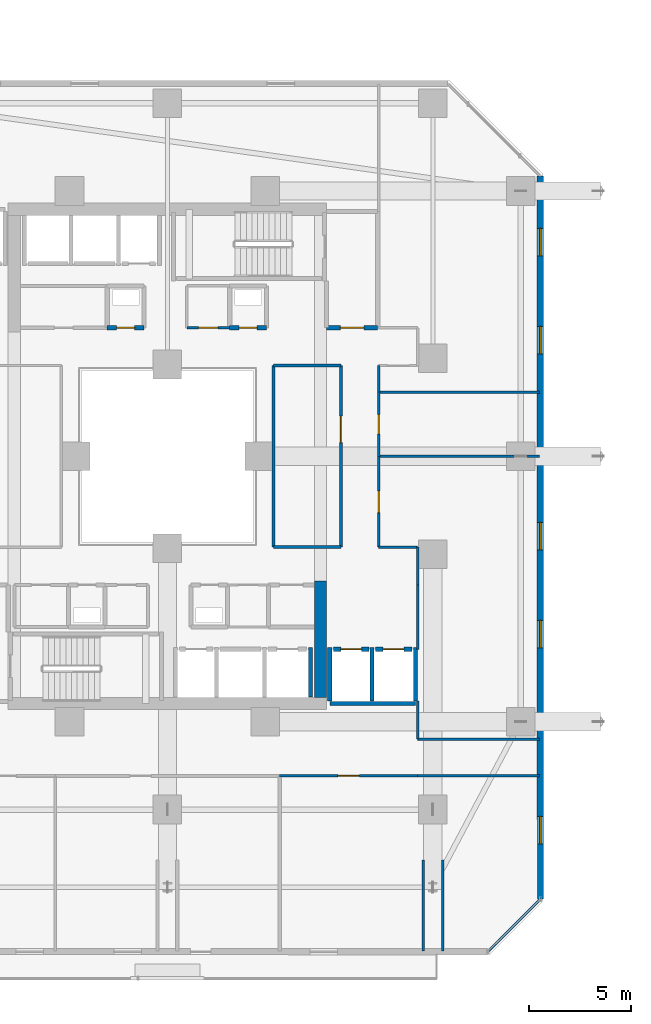
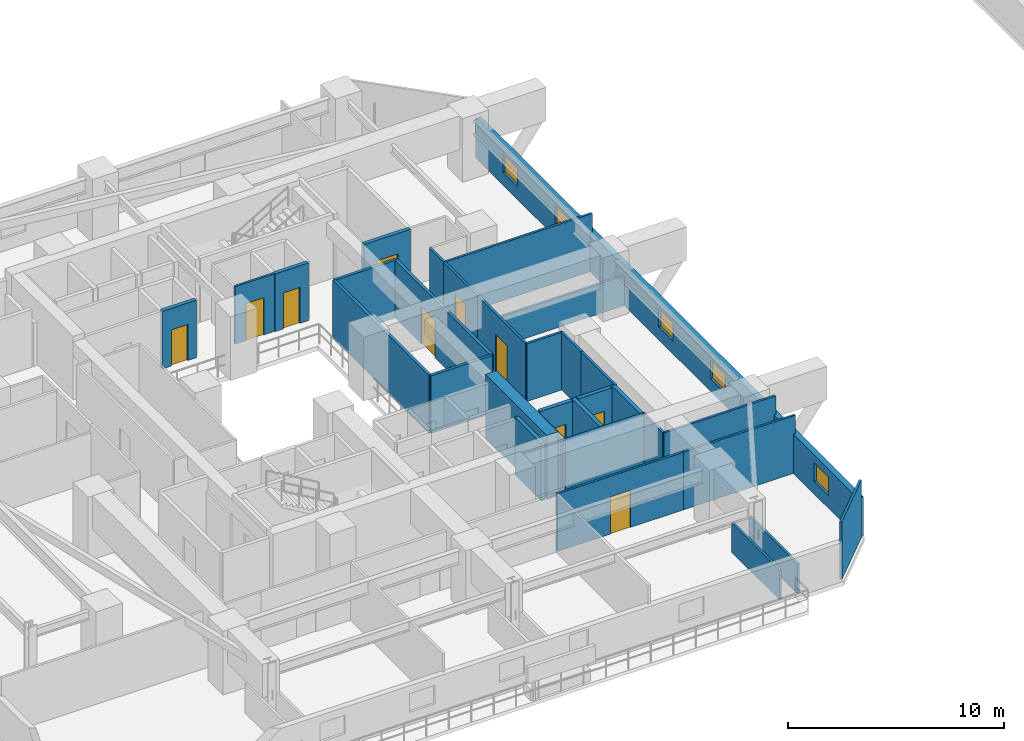
# One storey, part 23 of 36: 32 walls, 10 doors, 5 windows, 15 openings.
"""IFC4 building model written with IfcOpenShell, lengths in metres."""

from ifc_helpers import new_model, si_unit, direction, frame, frame_2d, origin, place, context, subcontext, project, spatial, rectangle, extrude, material, layer, layer_set, type_object, element, fill, save


model = new_model("IFC4")

# Units and contexts
model_context = context("Model", 3, precision=1e-05, world=origin(), true_north=direction((0.0, 1.0)))
body_context = subcontext(model_context, "Body", "Model", "MODEL_VIEW")
ifc_project = project(units=[si_unit("LENGTHUNIT", "METRE"), si_unit("AREAUNIT", "SQUARE_METRE"), si_unit("VOLUMEUNIT", "CUBIC_METRE"), si_unit("PLANEANGLEUNIT", "RADIAN"), si_unit("MASSUNIT", "GRAM", prefix="KILO")], contexts=[model_context])

# Site, building, storey
site_placement = place(None, origin())
site = spatial("IfcSite", under=ifc_project, at=site_placement, CompositionType="ELEMENT")
building_placement = place(site_placement, origin())
building = spatial("IfcBuilding", under=site, at=building_placement, Name="Thornwick Lancets Civic Towers", CompositionType="ELEMENT")
storey_placement = place(building_placement, frame((0.0, 0.0, 45.89990234375)))
storey = spatial("IfcBuildingStorey", under=building, at=storey_placement, Name="L11", CompositionType="ELEMENT", Elevation=45.89990234375)

# Wall, opening, door
ifc_material_1 = material(Name="Concrete blockwork C40/50", Category="masonry")
ifc_layer_1 = layer(ifc_material_1, 0.199951171875, Name="Concrete blockwork C40/50")
ifc_layer_set_1 = layer_set([ifc_layer_1], Name="Concrete blockwork C40/50")
wall_type_1 = type_object("IfcWallType", Name="WALL_COMP_200", PredefinedType="STANDARD", material=ifc_layer_set_1)
wall_1_placement = place(storey_placement, frame((33.6298828125, 17.550048828125, 0.0), z_axis=(0.0, 0.0, 1.0), x_axis=(1.0, 0.0, 0.0)))
wall_1 = element("IfcWall", 1, at=wall_1_placement, inside=storey, type_object=wall_type_1, Name="L11 Hoistway Front Wall PL-AL2", PredefinedType="STANDARD", context=body_context, shape_type="SweptSolid", body=[
    extrude(rectangle(XDim=1.740234375, YDim=0.199951171875, at=frame_2d((0.8701171875, 0.0))), origin(), (0.0, 0.0, 1.0), 3.260009765625),
])
opening_1_placement = place(wall_1_placement, frame((0.360107421875, 0.0, 0.0)))
opening_1 = element("IfcOpeningElement", 2, at=opening_1_placement, cuts=wall_1, Name="Opening LD-PL-AL2", PredefinedType="OPENING", context=body_context, shape_type="SweptSolid", body=[
    extrude(rectangle(XDim=1.02001953125, YDim=2.06005859375, at=frame_2d((0.510009765625, 1.030029296875))), frame((0.0, 0.10986328125, 0.0), z_axis=(0.0, -1.0, 0.0), x_axis=(1.0, 0.0, 0.0)), (0.0, 0.0, 1.0), 0.219970703125),
])
ifc_material_2 = material(Name="Brushed bronze stainless steel", Category="steel")
door_type_1 = type_object("IfcDoorType", Name="DOOR_LIFT_SLIDE", OperationType="SLIDING_TO_LEFT", PredefinedType="DOOR", material=ifc_material_2)
door_1_placement = place(opening_1_placement, origin())
door_1 = element("IfcDoor", 3, at=door_1_placement, inside=storey, type_object=door_type_1, Name="L11 Sliding Lift Landing Door LD-PL-AL2", OperationType="SLIDING_TO_LEFT", OverallHeight=2.06005859375, OverallWidth=1.02001953125, PredefinedType="DOOR", context=body_context, shape_type="SweptSolid", body=[
    extrude(rectangle(XDim=1.02001953125, YDim=2.06005859375, at=frame_2d((0.510009765625, 1.030029296875))), frame((0.0, 0.02490234375, 0.0), z_axis=(0.0, -1.0, 0.0), x_axis=(1.0, 0.0, 0.0)), (0.0, 0.0, 1.0), 0.050048828125),
])
fill(opening_1, door_1)

wall_2_placement = place(storey_placement, frame((35.679931640625, 17.550048828125, 0.0), z_axis=(0.0, 0.0, 1.0), x_axis=(1.0, 0.0, 0.0)))
wall_2 = element("IfcWall", 4, at=wall_2_placement, inside=storey, type_object=wall_type_1, Name="L11 Hoistway Front Wall PL-AL3", PredefinedType="STANDARD", context=body_context, shape_type="SweptSolid", body=[
    extrude(rectangle(XDim=1.7900390625, YDim=0.199951171875, at=frame_2d((0.89501953125, 0.0))), origin(), (0.0, 0.0, 1.0), 3.260009765625),
])
opening_2_placement = place(wall_2_placement, frame((0.385009765625, 0.0, 0.0)))
opening_2 = element("IfcOpeningElement", 5, at=opening_2_placement, cuts=wall_2, Name="Opening LD-PL-AL3", PredefinedType="OPENING", context=body_context, shape_type="SweptSolid", body=[
    extrude(rectangle(XDim=1.02001953125, YDim=2.06005859375, at=frame_2d((0.510009765625, 1.030029296875))), frame((0.0, 0.10986328125, 0.0), z_axis=(0.0, -1.0, 0.0), x_axis=(1.0, 0.0, 0.0)), (0.0, 0.0, 1.0), 0.219970703125),
])
door_2_placement = place(opening_2_placement, origin())
door_2 = element("IfcDoor", 6, at=door_2_placement, inside=storey, type_object=door_type_1, Name="L11 Sliding Lift Landing Door LD-PL-AL3", OperationType="SLIDING_TO_LEFT", OverallHeight=2.06005859375, OverallWidth=1.02001953125, PredefinedType="DOOR", context=body_context, shape_type="SweptSolid", body=[
    extrude(rectangle(XDim=1.02001953125, YDim=2.06005859375, at=frame_2d((0.510009765625, 1.030029296875))), frame((0.0, 0.02490234375, 0.0), z_axis=(0.0, -1.0, 0.0), x_axis=(1.0, 0.0, 0.0)), (0.0, 0.0, 1.0), 0.050048828125),
])
fill(opening_2, door_2)

# Walls
wall_3_placement = place(storey_placement, frame((32.5, 15.2119140625, 0.0), z_axis=(0.0, 0.0, 1.0), x_axis=(0.0, 1.0, 0.0)))
element("IfcWall", 7, at=wall_3_placement, inside=storey, type_object=wall_type_1, Name="L11 Hoistway Shaft Wall PL-AL1 E", PredefinedType="STANDARD", context=body_context, shape_type="SweptSolid", body=[
    extrude(rectangle(XDim=2.43603515625, YDim=0.199951171875, at=frame_2d((1.218017578125, 0.0))), origin(), (0.0, 0.0, 1.0), 3.260009765625),
])
wall_4_placement = place(storey_placement, frame((33.451904296875, 14.89990234375, 0.0), z_axis=(0.0, 0.0, 1.0), x_axis=(1.0, 0.0, 0.0)))
element("IfcWall", 8, at=wall_4_placement, inside=storey, type_object=wall_type_1, Name="L11 Hoistway Shaft Wall PL-AL2 S", PredefinedType="STANDARD", context=body_context, shape_type="SweptSolid", body=[
    extrude(rectangle(XDim=4.196044921875, YDim=0.199951171875, at=frame_2d((2.09814453125, 0.0))), origin(), (0.0, 0.0, 1.0), 3.260009765625),
])
for number, where, z_axis, x_axis, name in (
    (9, (35.52490234375, 15.011962890625, 0.0), (0.0, 0.0, 1.0), (0.0, 1.0, 0.0), "L11 Hoistway Shaft Wall PL-AL2 E"),
    (10, (33.449951171875, 15.011962890625, 0.0), (0.0, 0.0, 1.0), (0.0, 1.0, 0.0), "L11 Hoistway Shaft Wall PL-AL2 W"),
    (11, (37.64990234375, 15.011962890625, 0.0), (0.0, 0.0, 1.0), (0.0, 1.0, 0.0), "L11 Hoistway Shaft Wall PL-AL3 E"),
):
    element("IfcWall", number, at=place(storey_placement, frame(where, z_axis=z_axis, x_axis=x_axis)), inside=storey, type_object=wall_type_1, Name=name, PredefinedType="STANDARD", context=body_context, shape_type="SweptSolid", body=[
        extrude(rectangle(XDim=2.635986328125, YDim=0.199951171875, at=frame_2d((1.31787109375, 0.0))), origin(), (0.0, 0.0, 1.0), 3.260009765625),
    ])

# Wall, opening, door
wall_5_placement = place(storey_placement, frame((33.300048828125, 33.300048828125, 0.0), z_axis=(0.0, 0.0, 1.0), x_axis=(1.0, 0.0, 0.0)))
wall_5 = element("IfcWall", 12, at=wall_5_placement, inside=storey, type_object=wall_type_1, Name="L11 Partition L11-A-FFLOB2 E1", PredefinedType="STANDARD", context=body_context, shape_type="SweptSolid", body=[
    extrude(rectangle(XDim=2.5, YDim=0.199951171875, at=frame_2d((1.25, 0.0))), origin(), (0.0, 0.0, 1.0), 3.260009765625),
])
opening_3_placement = place(wall_5_placement, frame((0.675048828125, 0.0, 0.0)))
opening_3 = element("IfcOpeningElement", 13, at=opening_3_placement, cuts=wall_5, Name="Opening D-L11-0538", PredefinedType="OPENING", context=body_context, shape_type="SweptSolid", body=[
    extrude(rectangle(XDim=1.14990234375, YDim=2.10009765625, at=frame_2d((0.574951171875, 1.050048828125))), frame((0.0, 0.10986328125, 0.0), z_axis=(0.0, -1.0, 0.0), x_axis=(1.0, 0.0, 0.0)), (0.0, 0.0, 1.0), 0.219970703125),
])
ifc_material_3 = material(Name="Glazed fire-resisting steel", Category="steel")
door_type_2 = type_object("IfcDoorType", Name="DOOR_LOBBY_FD60", OperationType="NOTDEFINED", PredefinedType="DOOR", material=ifc_material_3)
door_3_placement = place(opening_3_placement, origin())
door_3 = element("IfcDoor", 14, at=door_3_placement, inside=storey, type_object=door_type_2, Name="L11 North Firefighting Lobby 2 Door", OperationType="SINGLE_SWING_LEFT", OverallHeight=2.10009765625, OverallWidth=1.14990234375, PredefinedType="DOOR", context=body_context, shape_type="SweptSolid", body=[
    extrude(rectangle(XDim=1.14990234375, YDim=2.10009765625, at=frame_2d((0.574951171875, 1.050048828125))), frame((0.0, 0.02490234375, 0.0), z_axis=(0.0, -1.0, 0.0), x_axis=(1.0, 0.0, 0.0)), (0.0, 0.0, 1.0), 0.050048828125),
])
fill(opening_3, door_3)

wall_6_placement = place(storey_placement, frame((22.550048828125, 33.300048828125, 0.0), z_axis=(0.0, 0.0, 1.0), x_axis=(1.0, 0.0, 0.0)))
wall_6 = element("IfcWall", 15, at=wall_6_placement, inside=storey, type_object=wall_type_1, Name="L11 Partition L11-A-DUCT2 E1", PredefinedType="STANDARD", context=body_context, shape_type="SweptSolid", body=[
    extrude(rectangle(XDim=1.800048828125, YDim=0.199951171875, at=frame_2d((0.89990234375, 0.0))), origin(), (0.0, 0.0, 1.0), 3.260009765625),
])
opening_4_placement = place(wall_6_placement, frame((0.4599609375, 0.0, 0.0)))
opening_4 = element("IfcOpeningElement", 16, at=opening_4_placement, cuts=wall_6, Name="Opening D-L11-0541", PredefinedType="OPENING", context=body_context, shape_type="SweptSolid", body=[
    extrude(rectangle(XDim=0.8798828125, YDim=2.0400390625, at=frame_2d((0.43994140625, 1.02001953125))), frame((0.0, 0.10986328125, 0.0), z_axis=(0.0, -1.0, 0.0), x_axis=(1.0, 0.0, 0.0)), (0.0, 0.0, 1.0), 0.219970703125),
])
ifc_material_4 = material(Name="Steel riser access doorset", Category="steel")
door_type_3 = type_object("IfcDoorType", Name="DOOR_RISER_850", OperationType="NOTDEFINED", PredefinedType="DOOR", material=ifc_material_4)
door_4_placement = place(opening_4_placement, origin())
door_4 = element("IfcDoor", 17, at=door_4_placement, inside=storey, type_object=door_type_3, Name="L11 North Service Duct 2 Door", OperationType="SINGLE_SWING_RIGHT", OverallHeight=2.0400390625, OverallWidth=0.8798828125, PredefinedType="DOOR", context=body_context, shape_type="SweptSolid", body=[
    extrude(rectangle(XDim=0.8798828125, YDim=2.0400390625, at=frame_2d((0.43994140625, 1.02001953125))), frame((0.0, 0.02490234375, 0.0), z_axis=(0.0, -1.0, 0.0), x_axis=(1.0, 0.0, 0.0)), (0.0, 0.0, 1.0), 0.050048828125),
])
fill(opening_4, door_4)

wall_7_placement = place(storey_placement, frame((28.550048828125, 33.300048828125, 0.0), z_axis=(0.0, 0.0, 1.0), x_axis=(1.0, 0.0, 0.0)))
wall_7 = element("IfcWall", 18, at=wall_7_placement, inside=storey, type_object=wall_type_1, Name="L11 Partition L11-A-RISER2 E1", PredefinedType="STANDARD", context=body_context, shape_type="SweptSolid", body=[
    extrude(rectangle(XDim=1.800048828125, YDim=0.199951171875, at=frame_2d((0.89990234375, 0.0))), origin(), (0.0, 0.0, 1.0), 3.260009765625),
])
opening_5_placement = place(wall_7_placement, frame((0.4599609375, 0.0, 0.0)))
opening_5 = element("IfcOpeningElement", 19, at=opening_5_placement, cuts=wall_7, Name="Opening D-L11-0542", PredefinedType="OPENING", context=body_context, shape_type="SweptSolid", body=[
    extrude(rectangle(XDim=0.8798828125, YDim=2.0400390625, at=frame_2d((0.43994140625, 1.02001953125))), frame((0.0, 0.10986328125, 0.0), z_axis=(0.0, -1.0, 0.0), x_axis=(1.0, 0.0, 0.0)), (0.0, 0.0, 1.0), 0.219970703125),
])
door_5_placement = place(opening_5_placement, origin())
door_5 = element("IfcDoor", 20, at=door_5_placement, inside=storey, type_object=door_type_3, Name="L11 North Service Riser 2 Door", OperationType="SINGLE_SWING_LEFT", OverallHeight=2.0400390625, OverallWidth=0.8798828125, PredefinedType="DOOR", context=body_context, shape_type="SweptSolid", body=[
    extrude(rectangle(XDim=0.8798828125, YDim=2.0400390625, at=frame_2d((0.43994140625, 1.02001953125))), frame((0.0, 0.02490234375, 0.0), z_axis=(0.0, -1.0, 0.0), x_axis=(1.0, 0.0, 0.0)), (0.0, 0.0, 1.0), 0.050048828125),
])
fill(opening_5, door_5)

# Wall
ifc_material_5 = material(Name="Concrete C60/75", Category="concrete")
ifc_layer_2 = layer(ifc_material_5, 0.60009765625, Name="Concrete C60/75")
ifc_layer_set_2 = layer_set([ifc_layer_2], Name="Concrete C60/75")
wall_type_2 = type_object("IfcWallType", Name="WALL_CORE_600", PredefinedType="SHEAR", material=ifc_layer_set_2)
wall_8_placement = place(storey_placement, frame((33.0, 15.199951171875, 0.0), z_axis=(0.0, 0.0, 1.0), x_axis=(0.0, 1.0, 0.0)))
element("IfcWall", 21, at=wall_8_placement, inside=storey, type_object=wall_type_2, Name="L11 Split Core A1 Shear Wall E", PredefinedType="SHEAR", context=body_context, shape_type="SweptSolid", body=[
    extrude(rectangle(XDim=5.699951171875, YDim=0.60009765625, at=frame_2d((2.85009765625, 0.0))), origin(), (0.0, 0.0, 1.0), 3.60009765625),
])

# Wall, openings, windows
ifc_material_6 = material(Name="Insulated russet terracotta rainscreen on concrete C40/50", Category="masonry")
ifc_layer_3 = layer(ifc_material_6, 0.300048828125, Name="Insulated russet terracotta rainscreen on concrete C40/50")
ifc_layer_set_3 = layer_set([ifc_layer_3], Name="Insulated russet terracotta rainscreen on concrete C40/50")
wall_type_3 = type_object("IfcWallType", Name="WALL_EXT_RUSSET_300", PredefinedType="STANDARD", material=ifc_layer_set_3)
wall_9_placement = place(storey_placement, frame((43.764892578125, 5.31884765625, 0.0), z_axis=(0.0, 0.0, 1.0), x_axis=(-0.00017928314, 0.999999983929, 0.0)))
wall_9 = element("IfcWall", 22, at=wall_9_placement, inside=storey, type_object=wall_type_3, Name="L11 Tower A Terracotta Facade Wall E2", PredefinedType="STANDARD", context=body_context, shape_type="SweptSolid", body=[
    extrude(rectangle(XDim=35.40576171875, YDim=0.300048828125, at=frame_2d((17.702880859375, 0.0))), origin(), (0.0, 0.0, 1.0), 2.22021484375),
])
opening_6_placement = place(wall_9_placement, frame((2.699951171875, 0.0, 0.719970703125)))
opening_6 = element("IfcOpeningElement", 23, at=opening_6_placement, cuts=wall_9, Name="Opening WL-03", PredefinedType="OPENING", context=body_context, shape_type="SweptSolid", body=[
    extrude(rectangle(XDim=1.35009765625, YDim=1.050048828125, at=frame_2d((0.675048828125, 0.52490234375))), frame((0.0, 0.16015625, 0.0), z_axis=(0.0, -1.0, 0.0), x_axis=(1.0, 0.0, 0.0)), (0.0, 0.0, 1.0), 0.320068359375),
])
opening_7_placement = place(wall_9_placement, frame((12.300048828125, 0.0, 0.719970703125)))
opening_7 = element("IfcOpeningElement", 24, at=opening_7_placement, cuts=wall_9, Name="Opening WL-03", PredefinedType="OPENING", context=body_context, shape_type="SweptSolid", body=[
    extrude(rectangle(XDim=1.35009765625, YDim=1.050048828125, at=frame_2d((0.675048828125, 0.52490234375))), frame((0.0, 0.16015625, 0.0), z_axis=(0.0, -1.0, 0.0), x_axis=(1.0, 0.0, 0.0)), (0.0, 0.0, 1.0), 0.320068359375),
])
opening_8_placement = place(wall_9_placement, frame((17.10009765625, 0.0, 0.719970703125)))
opening_8 = element("IfcOpeningElement", 25, at=opening_8_placement, cuts=wall_9, Name="Opening WL-03", PredefinedType="OPENING", context=body_context, shape_type="SweptSolid", body=[
    extrude(rectangle(XDim=1.35009765625, YDim=1.050048828125, at=frame_2d((0.675048828125, 0.52490234375))), frame((0.0, 0.16015625, 0.0), z_axis=(0.0, -1.0, 0.0), x_axis=(1.0, 0.0, 0.0)), (0.0, 0.0, 1.0), 0.320068359375),
])
opening_9_placement = place(wall_9_placement, frame((26.699951171875, 0.0, 0.719970703125)))
opening_9 = element("IfcOpeningElement", 26, at=opening_9_placement, cuts=wall_9, Name="Opening WL-03", PredefinedType="OPENING", context=body_context, shape_type="SweptSolid", body=[
    extrude(rectangle(XDim=1.35009765625, YDim=1.050048828125, at=frame_2d((0.675048828125, 0.52490234375))), frame((0.0, 0.16015625, 0.0), z_axis=(0.0, -1.0, 0.0), x_axis=(1.0, 0.0, 0.0)), (0.0, 0.0, 1.0), 0.320068359375),
])
opening_10_placement = place(wall_9_placement, frame((31.5, 0.0, 0.719970703125)))
opening_10 = element("IfcOpeningElement", 27, at=opening_10_placement, cuts=wall_9, Name="Opening WL-03", PredefinedType="OPENING", context=body_context, shape_type="SweptSolid", body=[
    extrude(rectangle(XDim=1.35009765625, YDim=1.050048828125, at=frame_2d((0.675048828125, 0.52490234375))), frame((0.0, 0.16015625, 0.0), z_axis=(0.0, -1.0, 0.0), x_axis=(1.0, 0.0, 0.0)), (0.0, 0.0, 1.0), 0.320068359375),
])
ifc_material_7 = material(Name="Clear low-e double glazing clerestory lancet", Category="glass")
window_type = type_object("IfcWindowType", Name="WIN_LANCET_1350", PartitioningType="SINGLE_PANEL", PredefinedType="WINDOW", material=ifc_material_7)
window_1_placement = place(opening_6_placement, origin())
window_1 = element("IfcWindow", 28, at=window_1_placement, inside=storey, type_object=window_type, Name="L11 Tower A Staggered Lancet Window E2-1", OverallHeight=1.050048828125, OverallWidth=1.35009765625, PartitioningType="SINGLE_PANEL", PredefinedType="WINDOW", context=body_context, shape_type="SweptSolid", body=[
    extrude(rectangle(XDim=1.35009765625, YDim=1.050048828125, at=frame_2d((0.675048828125, 0.52490234375))), frame((0.0, 0.030029296875, 0.0), z_axis=(0.0, -1.0, 0.0), x_axis=(1.0, 0.0, 0.0)), (0.0, 0.0, 1.0), 0.06005859375),
])
fill(opening_6, window_1)
window_2_placement = place(opening_7_placement, origin())
window_2 = element("IfcWindow", 29, at=window_2_placement, inside=storey, type_object=window_type, Name="L11 Tower A Staggered Lancet Window E2-2", OverallHeight=1.050048828125, OverallWidth=1.35009765625, PartitioningType="SINGLE_PANEL", PredefinedType="WINDOW", context=body_context, shape_type="SweptSolid", body=[
    extrude(rectangle(XDim=1.35009765625, YDim=1.050048828125, at=frame_2d((0.675048828125, 0.52490234375))), frame((0.0, 0.030029296875, 0.0), z_axis=(0.0, -1.0, 0.0), x_axis=(1.0, 0.0, 0.0)), (0.0, 0.0, 1.0), 0.06005859375),
])
fill(opening_7, window_2)
window_3_placement = place(opening_8_placement, origin())
window_3 = element("IfcWindow", 30, at=window_3_placement, inside=storey, type_object=window_type, Name="L11 Tower A Staggered Lancet Window E2-3", OverallHeight=1.050048828125, OverallWidth=1.35009765625, PartitioningType="SINGLE_PANEL", PredefinedType="WINDOW", context=body_context, shape_type="SweptSolid", body=[
    extrude(rectangle(XDim=1.35009765625, YDim=1.050048828125, at=frame_2d((0.675048828125, 0.52490234375))), frame((0.0, 0.030029296875, 0.0), z_axis=(0.0, -1.0, 0.0), x_axis=(1.0, 0.0, 0.0)), (0.0, 0.0, 1.0), 0.06005859375),
])
fill(opening_8, window_3)
window_4_placement = place(opening_9_placement, origin())
window_4 = element("IfcWindow", 31, at=window_4_placement, inside=storey, type_object=window_type, Name="L11 Tower A Staggered Lancet Window E2-4", OverallHeight=1.050048828125, OverallWidth=1.35009765625, PartitioningType="SINGLE_PANEL", PredefinedType="WINDOW", context=body_context, shape_type="SweptSolid", body=[
    extrude(rectangle(XDim=1.35009765625, YDim=1.050048828125, at=frame_2d((0.675048828125, 0.52490234375))), frame((0.0, 0.030029296875, 0.0), z_axis=(0.0, -1.0, 0.0), x_axis=(1.0, 0.0, 0.0)), (0.0, 0.0, 1.0), 0.06005859375),
])
fill(opening_9, window_4)
window_5_placement = place(opening_10_placement, origin())
window_5 = element("IfcWindow", 32, at=window_5_placement, inside=storey, type_object=window_type, Name="L11 Tower A Staggered Lancet Window E2-5", OverallHeight=1.050048828125, OverallWidth=1.35009765625, PartitioningType="SINGLE_PANEL", PredefinedType="WINDOW", context=body_context, shape_type="SweptSolid", body=[
    extrude(rectangle(XDim=1.35009765625, YDim=1.050048828125, at=frame_2d((0.675048828125, 0.52490234375))), frame((0.0, 0.030029296875, 0.0), z_axis=(0.0, -1.0, 0.0), x_axis=(1.0, 0.0, 0.0)), (0.0, 0.0, 1.0), 0.06005859375),
])
fill(opening_10, window_5)

# Wall, opening, door
ifc_material_8 = material(Name="Acoustic gypsum board partition")
ifc_layer_4 = layer(ifc_material_8, 0.1201171875, Name="Acoustic gypsum board partition")
ifc_layer_set_4 = layer_set([ifc_layer_4], Name="Acoustic gypsum board partition")
wall_type_4 = type_object("IfcWallType", Name="WALL_PART_120", PredefinedType="PARTITIONING", material=ifc_layer_set_4)
wall_10_placement = place(storey_placement, frame((28.550048828125, 33.300048828125, 0.0), z_axis=(0.0, 0.0, 1.0), x_axis=(-1.0, 0.0, 0.0)))
wall_10 = element("IfcWall", 33, at=wall_10_placement, inside=storey, type_object=wall_type_4, Name="L11 Partition L11-A-ITR E4", PredefinedType="PARTITIONING", context=body_context, shape_type="SweptSolid", body=[
    extrude(rectangle(XDim=2.10009765625, YDim=0.1201171875, at=frame_2d((1.050048828125, 0.0))), origin(), (0.0, 0.0, 1.0), 3.260009765625),
])
opening_11_placement = place(wall_10_placement, frame((0.574951171875, 0.0, 0.0)))
opening_11 = element("IfcOpeningElement", 34, at=opening_11_placement, cuts=wall_10, Name="Opening D-L11-0548", PredefinedType="OPENING", context=body_context, shape_type="SweptSolid", body=[
    extrude(rectangle(XDim=0.949951171875, YDim=2.10009765625, at=frame_2d((0.47509765625, 1.050048828125))), frame((0.0, 0.070068359375, 0.0), z_axis=(0.0, -1.0, 0.0), x_axis=(1.0, 0.0, 0.0)), (0.0, 0.0, 1.0), 0.14013671875),
])
ifc_material_9 = material(Name="European oak acoustic doorset")
door_type_4 = type_object("IfcDoorType", Name="DOOR_OFFICE_950", OperationType="NOTDEFINED", PredefinedType="DOOR", material=ifc_material_9)
door_6_placement = place(opening_11_placement, origin())
door_6 = element("IfcDoor", 35, at=door_6_placement, inside=storey, type_object=door_type_4, Name="L11 Tower A Comms Patch Room Door", OperationType="SINGLE_SWING_LEFT", OverallHeight=2.10009765625, OverallWidth=0.949951171875, PredefinedType="DOOR", context=body_context, shape_type="SweptSolid", body=[
    extrude(rectangle(XDim=0.949951171875, YDim=2.10009765625, at=frame_2d((0.47509765625, 1.050048828125))), frame((0.0, 0.02490234375, 0.0), z_axis=(0.0, -1.0, 0.0), x_axis=(1.0, 0.0, 0.0)), (0.0, 0.0, 1.0), 0.050048828125),
])
fill(opening_11, door_6)

# Walls
wall_11_placement = place(storey_placement, frame((37.75, 17.550048828125, 0.0), z_axis=(0.0, 0.0, 1.0), x_axis=(0.0, 1.0, 0.0)))
element("IfcWall", 36, at=wall_11_placement, inside=storey, type_object=wall_type_4, Name="L11 Partition L11-A-E1 E1", PredefinedType="PARTITIONING", context=body_context, shape_type="SweptSolid", body=[
    extrude(rectangle(XDim=3.14990234375, YDim=0.1201171875, at=frame_2d((1.574951171875, 0.0))), origin(), (0.0, 0.0, 1.0), 3.260009765625),
])
wall_12_placement = place(storey_placement, frame((37.75, 20.699951171875, 0.0), z_axis=(0.0, 0.0, 1.0), x_axis=(0.0, 1.0, 0.0)))
element("IfcWall", 37, at=wall_12_placement, inside=storey, type_object=wall_type_4, Name="L11 Partition L11-A-E1 E2", PredefinedType="PARTITIONING", context=body_context, shape_type="SweptSolid", body=[
    extrude(rectangle(XDim=1.85009765625, YDim=0.1201171875, at=frame_2d((0.925048828125, 0.0))), origin(), (0.0, 0.0, 1.0), 3.260009765625),
])
wall_13_placement = place(storey_placement, frame((37.75, 22.550048828125, 0.0), z_axis=(0.0, 0.0, 1.0), x_axis=(-1.0, 0.0, 0.0)))
element("IfcWall", 38, at=wall_13_placement, inside=storey, type_object=wall_type_4, Name="L11 Partition L11-A-E1 E3", PredefinedType="PARTITIONING", context=body_context, shape_type="SweptSolid", body=[
    extrude(rectangle(XDim=1.89990234375, YDim=0.1201171875, at=frame_2d((0.949951171875, 0.0))), origin(), (0.0, 0.0, 1.0), 3.260009765625),
])

# Wall, opening, door
wall_14_placement = place(storey_placement, frame((35.85009765625, 22.550048828125, 0.0), z_axis=(0.0, 0.0, 1.0), x_axis=(0.0, 1.0, 0.0)))
wall_14 = element("IfcWall", 39, at=wall_14_placement, inside=storey, type_object=wall_type_4, Name="L11 Partition L11-A-E1 E4", PredefinedType="PARTITIONING", context=body_context, shape_type="SweptSolid", body=[
    extrude(rectangle(XDim=4.449951171875, YDim=0.1201171875, at=frame_2d((2.22509765625, 0.0))), origin(), (0.0, 0.0, 1.0), 3.260009765625),
])
opening_12_placement = place(wall_14_placement, frame((1.699951171875, 0.0, 0.0)))
opening_12 = element("IfcOpeningElement", 40, at=opening_12_placement, cuts=wall_14, Name="Opening D-L11-0564", PredefinedType="OPENING", context=body_context, shape_type="SweptSolid", body=[
    extrude(rectangle(XDim=1.050048828125, YDim=2.10009765625, at=frame_2d((0.52490234375, 1.050048828125))), frame((0.0, 0.070068359375, 0.0), z_axis=(0.0, -1.0, 0.0), x_axis=(1.0, 0.0, 0.0)), (0.0, 0.0, 1.0), 0.14013671875),
])
ifc_material_10 = material(Name="Glazed European oak executive doorset")
door_type_5 = type_object("IfcDoorType", Name="DOOR_OFFICE_1050", OperationType="NOTDEFINED", PredefinedType="DOOR", material=ifc_material_10)
door_7_placement = place(opening_12_placement, origin())
door_7 = element("IfcDoor", 41, at=door_7_placement, inside=storey, type_object=door_type_5, Name="L11 Tower A Secretariat Open Office E1 Door", OperationType="SINGLE_SWING_LEFT", OverallHeight=2.10009765625, OverallWidth=1.050048828125, PredefinedType="DOOR", context=body_context, shape_type="SweptSolid", body=[
    extrude(rectangle(XDim=1.050048828125, YDim=2.10009765625, at=frame_2d((0.52490234375, 1.050048828125))), frame((0.0, 0.02490234375, 0.0), z_axis=(0.0, -1.0, 0.0), x_axis=(1.0, 0.0, 0.0)), (0.0, 0.0, 1.0), 0.050048828125),
])
fill(opening_12, door_7)

# Walls
wall_15_placement = place(storey_placement, frame((35.85009765625, 27.0, 0.0), z_axis=(0.0, 0.0, 1.0), x_axis=(1.0, 0.0, 0.0)))
element("IfcWall", 42, at=wall_15_placement, inside=storey, type_object=wall_type_4, Name="L11 Partition L11-A-E1 E5", PredefinedType="PARTITIONING", context=body_context, shape_type="SweptSolid", body=[
    extrude(rectangle(XDim=7.869873046875, YDim=0.1201171875, at=frame_2d((3.93505859375, 0.0))), origin(), (0.0, 0.0, 1.0), 1.68505859375),
])
wall_16_placement = place(storey_placement, frame((43.719970703125, 13.14990234375, 0.0), z_axis=(0.0, 0.0, 1.0), x_axis=(-1.0, 0.0, 0.0)))
element("IfcWall", 43, at=wall_16_placement, inside=storey, type_object=wall_type_4, Name="L11 Partition L11-A-E1 E7", PredefinedType="PARTITIONING", context=body_context, shape_type="SweptSolid", body=[
    extrude(rectangle(XDim=5.969970703125, YDim=0.1201171875, at=frame_2d((2.98486328125, 0.0))), origin(), (0.0, 0.0, 1.0), 3.260009765625),
])
wall_17_placement = place(storey_placement, frame((37.75, 13.14990234375, 0.0), z_axis=(0.0, 0.0, 1.0), x_axis=(0.0, 1.0, 0.0)))
element("IfcWall", 44, at=wall_17_placement, inside=storey, type_object=wall_type_4, Name="L11 Partition L11-A-E1 E8", PredefinedType="PARTITIONING", context=body_context, shape_type="SweptSolid", body=[
    extrude(rectangle(XDim=1.862060546875, YDim=0.1201171875, at=frame_2d((0.93115234375, 0.0))), origin(), (0.0, 0.0, 1.0), 3.260009765625),
])

# Wall, opening, door
wall_18_placement = place(storey_placement, frame((35.85009765625, 27.0, 0.0), z_axis=(0.0, 0.0, 1.0), x_axis=(0.0, 1.0, 0.0)))
wall_18 = element("IfcWall", 45, at=wall_18_placement, inside=storey, type_object=wall_type_4, Name="L11 Partition L11-A-E2 E1", PredefinedType="PARTITIONING", context=body_context, shape_type="SweptSolid", body=[
    extrude(rectangle(XDim=3.14990234375, YDim=0.1201171875, at=frame_2d((1.574951171875, 0.0))), origin(), (0.0, 0.0, 1.0), 3.260009765625),
])
opening_13_placement = place(wall_18_placement, frame((1.10009765625, 0.0, 0.0)))
opening_13 = element("IfcOpeningElement", 46, at=opening_13_placement, cuts=wall_18, Name="Opening D-L11-0565", PredefinedType="OPENING", context=body_context, shape_type="SweptSolid", body=[
    extrude(rectangle(XDim=0.949951171875, YDim=2.10009765625, at=frame_2d((0.47509765625, 1.050048828125))), frame((0.0, 0.070068359375, 0.0), z_axis=(0.0, -1.0, 0.0), x_axis=(1.0, 0.0, 0.0)), (0.0, 0.0, 1.0), 0.14013671875),
])
door_8_placement = place(opening_13_placement, origin())
door_8 = element("IfcDoor", 47, at=door_8_placement, inside=storey, type_object=door_type_4, Name="L11 Tower A Visitors Reception and Waiting Door", OperationType="SINGLE_SWING_RIGHT", OverallHeight=2.10009765625, OverallWidth=0.949951171875, PredefinedType="DOOR", context=body_context, shape_type="SweptSolid", body=[
    extrude(rectangle(XDim=0.949951171875, YDim=2.10009765625, at=frame_2d((0.47509765625, 1.050048828125))), frame((0.0, 0.02490234375, 0.0), z_axis=(0.0, -1.0, 0.0), x_axis=(1.0, 0.0, 0.0)), (0.0, 0.0, 1.0), 0.050048828125),
])
fill(opening_13, door_8)

# Walls
wall_19_placement = place(storey_placement, frame((35.85009765625, 30.14990234375, 0.0), z_axis=(0.0, 0.0, 1.0), x_axis=(1.0, 0.0, 0.0)))
element("IfcWall", 48, at=wall_19_placement, inside=storey, type_object=wall_type_4, Name="L11 Partition L11-A-E2 E2", PredefinedType="PARTITIONING", context=body_context, shape_type="SweptSolid", body=[
    extrude(rectangle(XDim=7.869873046875, YDim=0.1201171875, at=frame_2d((3.93505859375, 0.0))), origin(), (0.0, 0.0, 1.0), 3.260009765625),
])
wall_20_placement = place(storey_placement, frame((35.85009765625, 30.14990234375, 0.0), z_axis=(0.0, 0.0, 1.0), x_axis=(0.0, 1.0, 0.0)))
element("IfcWall", 49, at=wall_20_placement, inside=storey, type_object=wall_type_4, Name="L11 Partition L11-A-E3 E9", PredefinedType="PARTITIONING", context=body_context, shape_type="SweptSolid", body=[
    extrude(rectangle(XDim=1.300048828125, YDim=0.1201171875, at=frame_2d((0.64990234375, 0.0))), origin(), (0.0, 0.0, 1.0), 3.260009765625),
])
for number, where, z_axis, x_axis, name in (
    (50, (38.97998046875, 2.780029296875, 0.0), (0.0, 0.0, 1.0), (0.0, 1.0, 0.0), "L11 Partition L11-A-S-OFF2 E2"),
    (51, (38.02001953125, 7.218505859375, 0.0), (0.0, 0.0, 1.0), (0.0, -1.0, 0.0), "L11 Partition L11-A-S-OFF2 E4"),
):
    element("IfcWall", number, at=place(storey_placement, frame(where, z_axis=z_axis, x_axis=x_axis)), inside=storey, type_object=wall_type_4, Name=name, PredefinedType="PARTITIONING", context=body_context, shape_type="SweptSolid", body=[
        extrude(rectangle(XDim=4.4384765625, YDim=0.1201171875, at=frame_2d((2.21923828125, 0.0))), origin(), (0.0, 0.0, 1.0), 1.68505859375),
    ])

# Wall, opening, door
wall_21_placement = place(storey_placement, frame((31.0, 11.35009765625, 0.0), z_axis=(0.0, 0.0, 1.0), x_axis=(1.0, 0.0, 0.0)))
wall_21 = element("IfcWall", 52, at=wall_21_placement, inside=storey, type_object=wall_type_4, Name="L11 Partition L11-A-S-OFF2 E7", PredefinedType="PARTITIONING", context=body_context, shape_type="SweptSolid", body=[
    extrude(rectangle(XDim=6.75, YDim=0.1201171875, at=frame_2d((3.375, 0.0))), origin(), (0.0, 0.0, 1.0), 3.260009765625),
])
opening_14_placement = place(wall_21_placement, frame((2.85009765625, 0.0, 0.0)))
opening_14 = element("IfcOpeningElement", 53, at=opening_14_placement, cuts=wall_21, Name="Opening D-L11-0571", PredefinedType="OPENING", context=body_context, shape_type="SweptSolid", body=[
    extrude(rectangle(XDim=1.050048828125, YDim=2.10009765625, at=frame_2d((0.52490234375, 1.050048828125))), frame((0.0, 0.070068359375, 0.0), z_axis=(0.0, -1.0, 0.0), x_axis=(1.0, 0.0, 0.0)), (0.0, 0.0, 1.0), 0.14013671875),
])
door_9_placement = place(opening_14_placement, origin())
door_9 = element("IfcDoor", 54, at=door_9_placement, inside=storey, type_object=door_type_5, Name="L11 Tower A South-East Division Office Door", OperationType="SINGLE_SWING_RIGHT", OverallHeight=2.10009765625, OverallWidth=1.050048828125, PredefinedType="DOOR", context=body_context, shape_type="SweptSolid", body=[
    extrude(rectangle(XDim=1.050048828125, YDim=2.10009765625, at=frame_2d((0.52490234375, 1.050048828125))), frame((0.0, 0.02490234375, 0.0), z_axis=(0.0, -1.0, 0.0), x_axis=(1.0, 0.0, 0.0)), (0.0, 0.0, 1.0), 0.050048828125),
])
fill(opening_14, door_9)

# Walls
wall_22_placement = place(storey_placement, frame((37.75, 11.35009765625, 0.0), z_axis=(0.0, 0.0, 1.0), x_axis=(1.0, 0.0, 0.0)))
element("IfcWall", 55, at=wall_22_placement, inside=storey, type_object=wall_type_4, Name="L11 Partition L11-A-S-OFF2 E8", PredefinedType="PARTITIONING", context=body_context, shape_type="SweptSolid", body=[
    extrude(rectangle(XDim=5.969970703125, YDim=0.1201171875, at=frame_2d((2.98486328125, 0.0))), origin(), (0.0, 0.0, 1.0), 3.260009765625),
])
wall_23_placement = place(storey_placement, frame((43.719970703125, 5.274658203125, 0.0), z_axis=(0.0, 0.0, 1.0), x_axis=(-0.707106781187, -0.707106781187, 0.0)))
element("IfcWall", 56, at=wall_23_placement, inside=storey, type_object=wall_type_4, Name="L11 Partition L11-A-S-OFF2 E10", PredefinedType="PARTITIONING", context=body_context, shape_type="SweptSolid", body=[
    extrude(rectangle(XDim=3.52783203125, YDim=0.1201171875, at=frame_2d((1.763916015625, 0.0))), origin(), (0.0, 0.0, 1.0), 3.260009765625),
])
ifc_material_11 = material(Name="Twin-stud acoustic gypsum board")
ifc_layer_5 = layer(ifc_material_11, 0.14990234375, Name="Twin-stud acoustic gypsum board")
ifc_layer_set_5 = layer_set([ifc_layer_5], Name="Twin-stud acoustic gypsum board")
wall_type_5 = type_object("IfcWallType", Name="WALL_PART_150", PredefinedType="PARTITIONING", material=ifc_layer_set_5)
wall_24_placement = place(storey_placement, frame((30.699951171875, 22.550048828125, 0.0), z_axis=(0.0, 0.0, 1.0), x_axis=(0.0, 1.0, 0.0)))
element("IfcWall", 57, at=wall_24_placement, inside=storey, type_object=wall_type_5, Name="L11 Partition L11-A-ATR-E E1", PredefinedType="PARTITIONING", context=body_context, shape_type="SweptSolid", body=[
    extrude(rectangle(XDim=8.89990234375, YDim=0.14990234375, at=frame_2d((4.449951171875, 0.0))), origin(), (0.0, 0.0, 1.0), 3.260009765625),
])
wall_25_placement = place(storey_placement, frame((30.699951171875, 31.449951171875, 0.0), z_axis=(0.0, 0.0, 1.0), x_axis=(1.0, 0.0, 0.0)))
element("IfcWall", 58, at=wall_25_placement, inside=storey, type_object=wall_type_5, Name="L11 Partition L11-A-ATR-E E2", PredefinedType="PARTITIONING", context=body_context, shape_type="SweptSolid", body=[
    extrude(rectangle(XDim=3.300048828125, YDim=0.14990234375, at=frame_2d((1.64990234375, 0.0))), origin(), (0.0, 0.0, 1.0), 3.260009765625),
])

# Wall, opening, door
wall_26_placement = place(storey_placement, frame((34.0, 31.449951171875, 0.0), z_axis=(0.0, 0.0, 1.0), x_axis=(0.0, -1.0, 0.0)))
wall_26 = element("IfcWall", 59, at=wall_26_placement, inside=storey, type_object=wall_type_5, Name="L11 Partition L11-A-ATR-E E3", PredefinedType="PARTITIONING", context=body_context, shape_type="SweptSolid", body=[
    extrude(rectangle(XDim=8.89990234375, YDim=0.14990234375, at=frame_2d((4.449951171875, 0.0))), origin(), (0.0, 0.0, 1.0), 3.260009765625),
])
opening_15_placement = place(wall_26_placement, frame((2.47998046875, 0.0, 0.0)))
opening_15 = element("IfcOpeningElement", 60, at=opening_15_placement, cuts=wall_26, Name="Opening D-L11-0567", PredefinedType="OPENING", context=body_context, shape_type="SweptSolid", body=[
    extrude(rectangle(XDim=1.300048828125, YDim=2.1201171875, at=frame_2d((0.64990234375, 1.06005859375))), frame((0.0, 0.0849609375, 0.0), z_axis=(0.0, -1.0, 0.0), x_axis=(1.0, 0.0, 0.0)), (0.0, 0.0, 1.0), 0.169921875),
])
ifc_material_12 = material(Name="Acoustic oak leaf-and-a-half doorset")
door_type_6 = type_object("IfcDoorType", Name="DOOR_MEET_1300", OperationType="DOUBLE_DOOR_SINGLE_SWING", PredefinedType="DOOR", material=ifc_material_12)
door_10_placement = place(opening_15_placement, origin())
door_10 = element("IfcDoor", 61, at=door_10_placement, inside=storey, type_object=door_type_6, Name="L11 Tower A East Atrium Briefing Suite Door", OperationType="DOUBLE_DOOR_SINGLE_SWING", OverallHeight=2.1201171875, OverallWidth=1.300048828125, PredefinedType="DOOR", context=body_context, shape_type="SweptSolid", body=[
    extrude(rectangle(XDim=1.300048828125, YDim=2.1201171875, at=frame_2d((0.64990234375, 1.06005859375))), frame((0.0, 0.02490234375, 0.0), z_axis=(0.0, -1.0, 0.0), x_axis=(1.0, 0.0, 0.0)), (0.0, 0.0, 1.0), 0.050048828125),
])
fill(opening_15, door_10)

# Wall
wall_27_placement = place(storey_placement, frame((34.0, 22.550048828125, 0.0), z_axis=(0.0, 0.0, 1.0), x_axis=(-1.0, 0.0, 0.0)))
element("IfcWall", 62, at=wall_27_placement, inside=storey, type_object=wall_type_5, Name="L11 Partition L11-A-ATR-E E4", PredefinedType="PARTITIONING", context=body_context, shape_type="SweptSolid", body=[
    extrude(rectangle(XDim=3.300048828125, YDim=0.14990234375, at=frame_2d((1.64990234375, 0.0))), origin(), (0.0, 0.0, 1.0), 3.260009765625),
])

save(model, "model.ifc")
